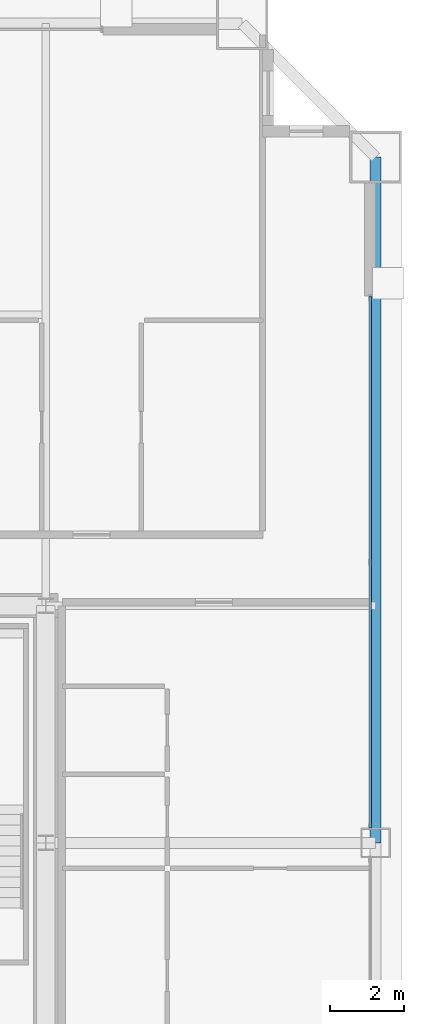
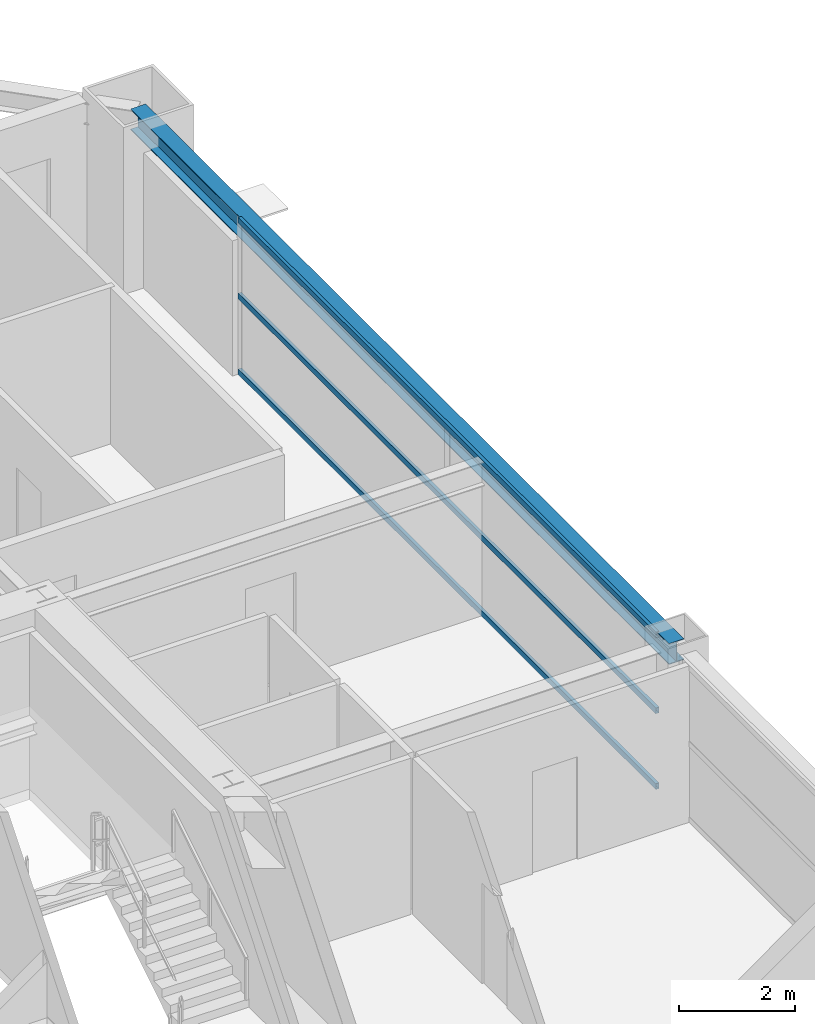
# One storey, part 22 of 38: 3 members, 1 beam, 1 element without a shape of its own.
"""IFC4 building model written with IfcOpenShell, lengths in metres."""

from ifc_helpers import new_model, si_unit, direction, frame, origin, origin_2d, place, context, subcontext, project, spatial, hollow_rectangle, i_section, extrude, source, transform, mapped, material, layer, layer_set, material_profile, profile_set, type_object, element, aggregate, save


model = new_model("IFC4")

# Units and contexts
model_context = context("Model", 3, precision=1e-05, world=origin(), true_north=direction((0.0, 1.0)))
body_context = subcontext(model_context, "Body", "Model", "MODEL_VIEW")
ifc_project = project(units=[si_unit("LENGTHUNIT", "METRE"), si_unit("AREAUNIT", "SQUARE_METRE"), si_unit("VOLUMEUNIT", "CUBIC_METRE"), si_unit("PLANEANGLEUNIT", "RADIAN"), si_unit("MASSUNIT", "GRAM", prefix="KILO"), si_unit("THERMODYNAMICTEMPERATUREUNIT", "KELVIN"), si_unit("POWERUNIT", "WATT")], contexts=[model_context])

# Site, building, storey
site_placement = place(None, origin())
site = spatial("IfcSite", under=ifc_project, at=site_placement, CompositionType="ELEMENT")
building_placement = place(site_placement, origin())
building = spatial("IfcBuilding", under=site, at=building_placement, Name="Yuzanri Waterfront Tower", CompositionType="ELEMENT")
storey_placement = place(building_placement, frame((0.0, 0.0, 188.0)))
storey = spatial("IfcBuildingStorey", under=building, at=storey_placement, Name="L49", CompositionType="ELEMENT", Elevation=188.0)

# Beam
ifc_material_1 = material(Name="Steel Q355B", Category="steel")
ifc_material_profile_1 = material_profile(ifc_material_1, i_section(OverallWidth=0.300048828125, OverallDepth=0.43994140625, WebThickness=0.010986328125, FlangeThickness=0.01806640625, at=origin_2d()), Name="HM 440x300x11x18")
ifc_profile_set_1 = profile_set([ifc_material_profile_1], Name="Steel Q355B")
beam_type = type_object("IfcBeamType", Name="Perimeter Spandrel Q355B HM 440x300", PredefinedType="SPANDREL", material=ifc_profile_set_1)
shared_shape_1 = source(origin(), body_context, "Body", "SweptSolid", [
    extrude(i_section(OverallWidth=0.300048828125, OverallDepth=0.43994140625, WebThickness=0.010986328125, FlangeThickness=0.01806640625, at=origin_2d()), origin(), (0.0, 0.0, 1.0), 18.5),
])
beam_placement = place(storey_placement, frame((59.10009765625, 25.800048828125, 3.06005859375), z_axis=(0.0, 1.0, 0.0), x_axis=(-1.0, 0.0, 0.0)))
element("IfcBeam", 1, at=beam_placement, inside=storey, type_object=beam_type, Name="L49 Perimeter Spandrel E2-E3", PredefinedType="SPANDREL", context=body_context, shape_type="MappedRepresentation", body=[
    mapped(shared_shape_1, transform((0.0, 0.0, 0.0), scale=1.0)),
])

# Curtain wall, members
ifc_material_2 = material(Name="Anodized Architectural Bronze", Category="metal")
ifc_layer = layer(ifc_material_2, 0.159912109375)
ifc_layer_set = layer_set([ifc_layer], Name="Anodized Architectural Bronze")
curtain_wall_type = type_object("IfcCurtainWallType", Name="Anodized Bronze Mid-Rise Residential Acoustic Unitized Curtain Wall 7200", PredefinedType="NOTDEFINED", material=ifc_layer_set)
curtain_wall_placement = place(storey_placement, origin())
curtain_wall = element("IfcCurtainWall", 2, at=curtain_wall_placement, inside=storey, type_object=curtain_wall_type, Name="L49 Curtain Wall CW-L49-ER", PredefinedType="NOTDEFINED")
ifc_material_3 = material(Name="Anodized Architectural Bronze", Category="metal")
ifc_material_profile_2 = material_profile(ifc_material_3, hollow_rectangle(XDim=0.06494140625, YDim=0.1201171875, WallThickness=0.00341796875, at=origin_2d()), Name="CWT 65x120")
ifc_profile_set_2 = profile_set([ifc_material_profile_2], Name="Anodized Architectural Bronze")
member_type = type_object("IfcMemberType", Name="Anodized Bronze Secondary Curtain-Wall Transom 65x120", PredefinedType="USERDEFINED", material=ifc_profile_set_2)
shared_shape_2 = source(origin(), body_context, "Body", "SweptSolid", [
    extrude(hollow_rectangle(XDim=0.06494140625, YDim=0.1201171875, WallThickness=0.00341796875, at=origin_2d()), origin(), (0.0, 0.0, 1.0), 14.35009765625),
])
member_1_placement = place(storey_placement, frame((58.949951171875, 26.199951171875, 0.050048828125), z_axis=(0.0, 1.0, 0.0), x_axis=(-1.0, 0.0, 0.0)))
member_1 = element("IfcMember", 3, at=member_1_placement, type_object=member_type, Name="CW-L49-ER Transom 1", ObjectType="TRANSOM", PredefinedType="USERDEFINED", context=body_context, shape_type="MappedRepresentation", body=[
    mapped(shared_shape_2, transform((0.0, 0.0, 0.0), scale=1.0)),
])
member_2_placement = place(storey_placement, frame((58.949951171875, 26.199951171875, 1.639892578125), z_axis=(0.0, 1.0, 0.0), x_axis=(-1.0, 0.0, 0.0)))
member_2 = element("IfcMember", 4, at=member_2_placement, type_object=member_type, Name="CW-L49-ER Transom 2", ObjectType="TRANSOM", PredefinedType="USERDEFINED", context=body_context, shape_type="MappedRepresentation", body=[
    mapped(shared_shape_2, transform((0.0, 0.0, 0.0), scale=1.0)),
])
member_3_placement = place(storey_placement, frame((58.949951171875, 26.199951171875, 3.22998046875), z_axis=(0.0, 1.0, 0.0), x_axis=(-1.0, 0.0, 0.0)))
member_3 = element("IfcMember", 5, at=member_3_placement, type_object=member_type, Name="CW-L49-ER Transom 3", ObjectType="TRANSOM", PredefinedType="USERDEFINED", context=body_context, shape_type="MappedRepresentation", body=[
    mapped(shared_shape_2, transform((0.0, 0.0, 0.0), scale=1.0)),
])
aggregate(curtain_wall, [member_1, member_2, member_3])

save(model, "model.ifc")
